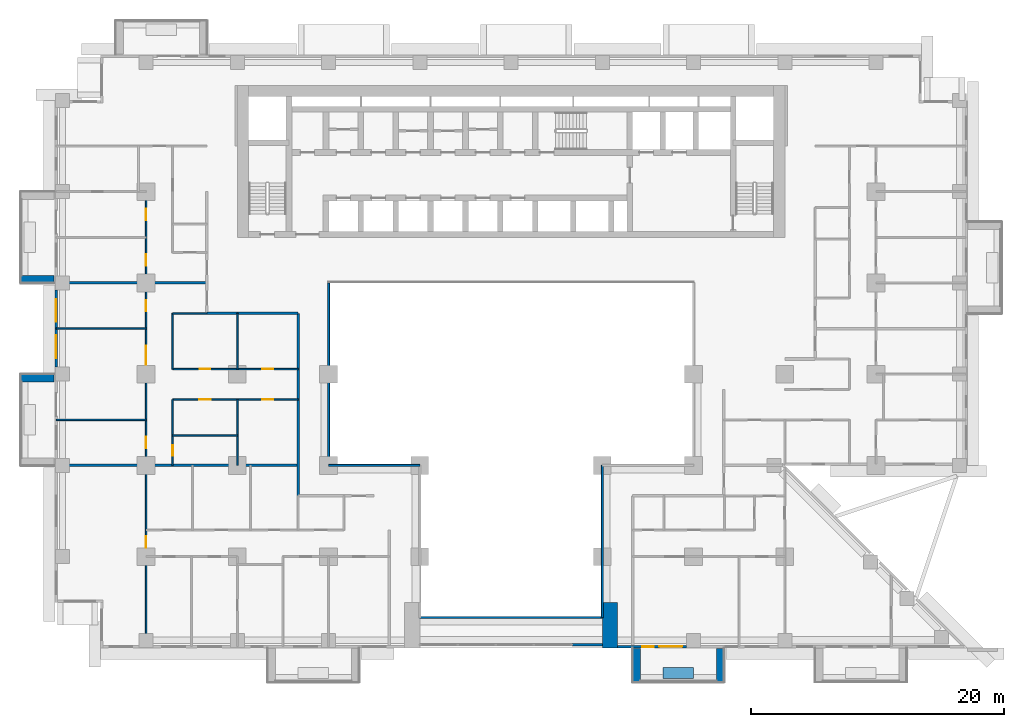
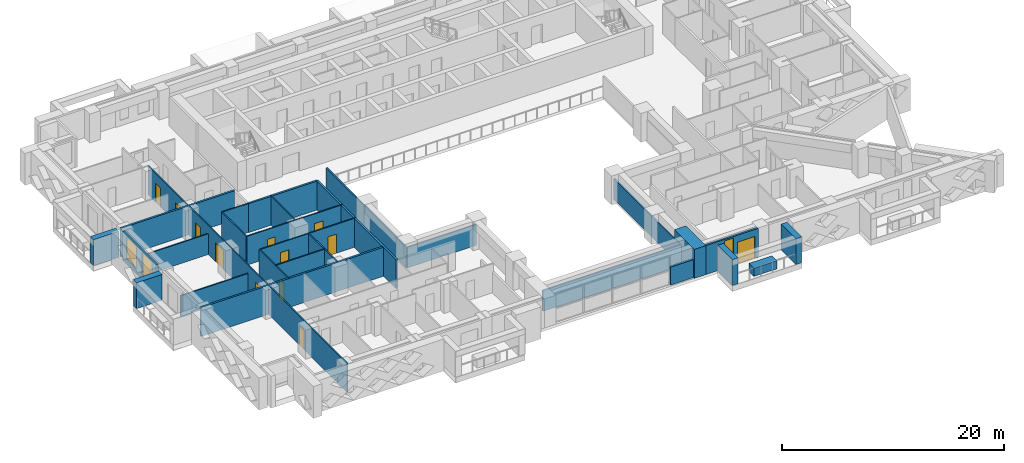
# One storey, part 7 of 17: 28 walls, 12 doors, 3 windows, 15 openings.
"""IFC4 building model written with IfcOpenShell, lengths in metres."""

from ifc_helpers import new_model, si_unit, direction, frame, frame_2d, origin, place, context, subcontext, project, spatial, rectangle, extrude, material, layer, layer_set, type_object, element, fill, save


model = new_model("IFC4")

# Units and contexts
model_context = context("Model", 3, precision=1e-05, world=origin(), true_north=direction((0.0, 1.0)))
body_context = subcontext(model_context, "Body", "Model", "MODEL_VIEW")
ifc_project = project(units=[si_unit("LENGTHUNIT", "METRE"), si_unit("AREAUNIT", "SQUARE_METRE"), si_unit("VOLUMEUNIT", "CUBIC_METRE"), si_unit("PLANEANGLEUNIT", "RADIAN"), si_unit("MASSUNIT", "GRAM", prefix="KILO")], contexts=[model_context])

# Site, building, storey
site_placement = place(None, origin())
site = spatial("IfcSite", under=ifc_project, at=site_placement, CompositionType="ELEMENT")
building_placement = place(site_placement, origin())
building = spatial("IfcBuilding", under=site, at=building_placement, Name="Saffron Iwan Residences", CompositionType="ELEMENT")
storey_placement = place(building_placement, frame((0.0, 0.0, 37.5)))
storey = spatial("IfcBuildingStorey", under=building, at=storey_placement, Name="L08", CompositionType="ELEMENT", Elevation=37.5)

# Walls
ifc_material_1 = material(Name="Fire-rated glazing", Category="glass")
ifc_layer_1 = layer(ifc_material_1, 0.14990234375)
ifc_layer_set_1 = layer_set([ifc_layer_1], Name="Fire-rated glazing")
wall_type_1 = type_object("IfcWallType", Name="Atrium glazed screen 150", PredefinedType="SOLIDWALL", material=ifc_layer_set_1)
wall_1_placement = place(storey_placement, frame((43.199951171875, 36.0, 0.0), z_axis=(0.0, 0.0, 1.0), x_axis=(1.0, 0.0, 0.0)))
element("IfcWall", 1, at=wall_1_placement, inside=storey, type_object=wall_type_1, Name="W-L08-SCREEN-h36-43.2", PredefinedType="SOLIDWALL", context=body_context, shape_type="SweptSolid", body=[
    extrude(rectangle(XDim=14.400146484375, YDim=0.14990234375, at=frame_2d((7.2001953125, 0.0))), origin(), (0.0, 0.0, 1.0), 2.280029296875),
])
wall_2_placement = place(storey_placement, frame((36.0, 48.0, 0.0), z_axis=(0.0, 0.0, 1.0), x_axis=(1.0, 0.0, 0.0)))
element("IfcWall", 2, at=wall_2_placement, inside=storey, type_object=wall_type_1, Name="W-L08-SCREEN-h48-36", PredefinedType="SOLIDWALL", context=body_context, shape_type="SweptSolid", body=[
    extrude(rectangle(XDim=7.199951171875, YDim=0.14990234375, at=frame_2d((3.60009765625, 0.0))), origin(), (0.0, 0.0, 1.0), 2.280029296875),
])
wall_3_placement = place(storey_placement, frame((36.0, 48.0, 0.0), z_axis=(0.0, 0.0, 1.0), x_axis=(0.0, 1.0, 0.0)))
element("IfcWall", 3, at=wall_3_placement, inside=storey, type_object=wall_type_1, Name="W-L08-SCREEN-v36-48", PredefinedType="SOLIDWALL", context=body_context, shape_type="SweptSolid", body=[
    extrude(rectangle(XDim=14.39990234375, YDim=0.14990234375, at=frame_2d((7.199951171875, 0.0))), origin(), (0.0, 0.0, 1.0), 2.280029296875),
])
wall_4_placement = place(storey_placement, frame((57.60009765625, 36.0, 0.0), z_axis=(0.0, 0.0, 1.0), x_axis=(0.0, 1.0, 0.0)))
element("IfcWall", 4, at=wall_4_placement, inside=storey, type_object=wall_type_1, Name="W-L08-SCREEN-v57.6-36", PredefinedType="SOLIDWALL", context=body_context, shape_type="SweptSolid", body=[
    extrude(rectangle(XDim=12.0, YDim=0.14990234375, at=frame_2d((6.0, 0.0))), origin(), (0.0, 0.0, 1.0), 2.280029296875),
])
ifc_material_2 = material(Name="Concrete C50/60 white painted", Category="concrete")
ifc_layer_2 = layer(ifc_material_2, 0.60009765625)
ifc_layer_set_2 = layer_set([ifc_layer_2], Name="Concrete C50/60 white painted")
wall_type_2 = type_object("IfcWallType", Name="BALCONY FIN 600", PredefinedType="SOLIDWALL", material=ifc_layer_set_2)
for number, where, z_axis, x_axis, name in (
    (5, (14.35009765625, 62.699951171875, 0.0), (0.0, 0.0, 1.0), (-1.0, 0.0, 0.0), "Balcony fin L08 F8-0b"),
    (6, (14.35009765625, 54.89990234375, 0.0), (0.0, 0.0, 1.0), (-1.0, 0.0, 0.0), "Balcony fin L08 F8-1a"),
    (7, (60.300048828125, 33.550048828125, 0.0), (0.0, 0.0, 1.0), (0.0, -1.0, 0.0), "Balcony fin L08 11-1a"),
    (8, (66.89990234375, 33.550048828125, 0.0), (0.0, 0.0, 1.0), (0.0, -1.0, 0.0), "Balcony fin L08 11-1b"),
):
    element("IfcWall", number, at=place(storey_placement, frame(where, z_axis=z_axis, x_axis=x_axis)), inside=storey, type_object=wall_type_2, Name=name, PredefinedType="SOLIDWALL", context=body_context, shape_type="SweptSolid", body=[
        extrude(rectangle(XDim=2.650146484375, YDim=0.60009765625, at=frame_2d((1.3251953125, 0.0))), origin(), (0.0, 0.0, 1.0), 2.85009765625),
    ])
ifc_material_3 = material(Name="Concrete C35/45 white painted", Category="concrete")
ifc_layer_3 = layer(ifc_material_3, 0.14990234375)
ifc_layer_set_3 = layer_set([ifc_layer_3], Name="Concrete C35/45 white painted")
wall_type_3 = type_object("IfcWallType", Name="BALCONY PLANTER", PredefinedType="SOLIDWALL", material=ifc_layer_set_3)
wall_5_placement = place(storey_placement, frame((62.39990234375, 31.625, 0.0), z_axis=(0.0, 0.0, 1.0), x_axis=(1.0, 0.0, 0.0)))
element("IfcWall", 9, at=wall_5_placement, inside=storey, type_object=wall_type_3, Name="PLANTER L08 11-1", PredefinedType="SOLIDWALL", context=body_context, shape_type="SweptSolid", body=[
    extrude(rectangle(XDim=2.400146484375, YDim=0.89990234375, at=frame_2d((1.2001953125, 0.0))), origin(), (0.0, 0.0, 1.0), 0.89990234375),
])

# Wall, openings, windows
ifc_material_4 = material(Name="Concrete C40/50", Category="concrete")
ifc_layer_4 = layer(ifc_material_4, 0.199951171875)
ifc_layer_set_4 = layer_set([ifc_layer_4], Name="Concrete C40/50")
wall_type_4 = type_object("IfcWallType", Name="EXTERNAL WALL 200", PredefinedType="SOLIDWALL", material=ifc_layer_set_4)
wall_6_placement = place(storey_placement, frame((14.5, 61.85009765625, 0.0), z_axis=(0.0, 0.0, 1.0), x_axis=(0.0, -1.0, 0.0)))
wall_6 = element("IfcWall", 10, at=wall_6_placement, inside=storey, type_object=wall_type_4, Name="External wall L08 F8.2", PredefinedType="SOLIDWALL", context=body_context, shape_type="SweptSolid", body=[
    extrude(rectangle(XDim=6.10009765625, YDim=0.199951171875, at=frame_2d((3.050048828125, 0.0))), origin(), (0.0, 0.0, 1.0), 3.179931640625),
])
opening_1_placement = place(wall_6_placement, frame((3.574951171875, 0.0, 0.60009765625)))
opening_1 = element("IfcOpeningElement", 11, at=opening_1_placement, cuts=wall_6, Name="Opening W8", PredefinedType="OPENING", context=body_context, shape_type="SweptSolid", body=[
    extrude(rectangle(XDim=1.800048828125, YDim=2.39990234375, at=frame_2d((0.89990234375, 1.199951171875))), frame((0.0, 0.10986328125, 0.0), z_axis=(0.0, -1.0, 0.0), x_axis=(1.0, 0.0, 0.0)), (0.0, 0.0, 1.0), 0.219970703125),
])
opening_2_placement = place(wall_6_placement, frame((0.72509765625, 0.0, 0.60009765625)))
opening_2 = element("IfcOpeningElement", 12, at=opening_2_placement, cuts=wall_6, Name="Opening W8", PredefinedType="OPENING", context=body_context, shape_type="SweptSolid", body=[
    extrude(rectangle(XDim=1.800048828125, YDim=2.39990234375, at=frame_2d((0.89990234375, 1.199951171875))), frame((0.0, 0.10986328125, 0.0), z_axis=(0.0, -1.0, 0.0), x_axis=(1.0, 0.0, 0.0)), (0.0, 0.0, 1.0), 0.219970703125),
])
ifc_material_5 = material(Name="Clear glass, laminated double glazed", Category="glass")
window_type_1 = type_object("IfcWindowType", Name="WINDOW 1800 x 2400", PartitioningType="DOUBLE_PANEL_VERTICAL", PredefinedType="WINDOW", material=ifc_material_5)
window_1_placement = place(opening_1_placement, origin())
window_1 = element("IfcWindow", 13, at=window_1_placement, inside=storey, type_object=window_type_1, Name="Window L08 F8.0", OverallHeight=2.39990234375, OverallWidth=1.800048828125, PartitioningType="DOUBLE_PANEL_VERTICAL", PredefinedType="WINDOW", context=body_context, shape_type="SweptSolid", body=[
    extrude(rectangle(XDim=1.800048828125, YDim=2.39990234375, at=frame_2d((0.89990234375, 1.199951171875))), frame((0.0, 0.030029296875, 0.0), z_axis=(0.0, -1.0, 0.0), x_axis=(1.0, 0.0, 0.0)), (0.0, 0.0, 1.0), 0.06005859375),
])
fill(opening_1, window_1)
window_2_placement = place(opening_2_placement, origin())
window_2 = element("IfcWindow", 14, at=window_2_placement, inside=storey, type_object=window_type_1, Name="Window L08 F8.1", OverallHeight=2.39990234375, OverallWidth=1.800048828125, PartitioningType="DOUBLE_PANEL_VERTICAL", PredefinedType="WINDOW", context=body_context, shape_type="SweptSolid", body=[
    extrude(rectangle(XDim=1.800048828125, YDim=2.39990234375, at=frame_2d((0.89990234375, 1.199951171875))), frame((0.0, 0.030029296875, 0.0), z_axis=(0.0, -1.0, 0.0), x_axis=(1.0, 0.0, 0.0)), (0.0, 0.0, 1.0), 0.06005859375),
])
fill(opening_2, window_2)

# Wall, openings, door, window
wall_7_placement = place(storey_placement, frame((58.800048828125, 33.699951171875, 0.0), z_axis=(0.0, 0.0, 1.0), x_axis=(1.0, 0.0, 0.0)))
wall_7 = element("IfcWall", 15, at=wall_7_placement, inside=storey, type_object=wall_type_4, Name="External wall L08 F11.4", PredefinedType="SOLIDWALL", context=body_context, shape_type="SweptSolid", body=[
    extrude(rectangle(XDim=5.449951171875, YDim=0.199951171875, at=frame_2d((2.72509765625, 0.0))), origin(), (0.0, 0.0, 1.0), 3.179931640625),
])
opening_3_placement = place(wall_7_placement, frame((3.300048828125, 0.0, 0.0)))
opening_3 = element("IfcOpeningElement", 16, at=opening_3_placement, cuts=wall_7, Name="Opening BD1", PredefinedType="OPENING", context=body_context, shape_type="SweptSolid", body=[
    extrude(rectangle(XDim=1.800048828125, YDim=2.39990234375, at=frame_2d((0.89990234375, 1.199951171875))), frame((0.0, 0.10986328125, 0.0), z_axis=(0.0, -1.0, 0.0), x_axis=(1.0, 0.0, 0.0)), (0.0, 0.0, 1.0), 0.219970703125),
])
opening_4_placement = place(wall_7_placement, frame((1.949951171875, 0.0, 0.60009765625)))
opening_4 = element("IfcOpeningElement", 17, at=opening_4_placement, cuts=wall_7, Name="Opening W10", PredefinedType="OPENING", context=body_context, shape_type="SweptSolid", body=[
    extrude(rectangle(XDim=0.89990234375, YDim=2.39990234375, at=frame_2d((0.449951171875, 1.199951171875))), frame((0.0, 0.10986328125, 0.0), z_axis=(0.0, -1.0, 0.0), x_axis=(1.0, 0.0, 0.0)), (0.0, 0.0, 1.0), 0.219970703125),
])
door_type_1 = type_object("IfcDoorType", Name="BALCONY DOOR 1800 x 2400", OperationType="DOUBLE_DOOR_SLIDING", PredefinedType="DOOR", material=ifc_material_5)
door_1_placement = place(opening_3_placement, origin())
door_1 = element("IfcDoor", 18, at=door_1_placement, inside=storey, type_object=door_type_1, Name="Balcony door L08 F11.0", OperationType="DOUBLE_DOOR_SLIDING", OverallHeight=2.39990234375, OverallWidth=1.800048828125, PredefinedType="DOOR", context=body_context, shape_type="SweptSolid", body=[
    extrude(rectangle(XDim=1.800048828125, YDim=2.39990234375, at=frame_2d((0.89990234375, 1.199951171875))), frame((0.0, 0.02490234375, 0.0), z_axis=(0.0, -1.0, 0.0), x_axis=(1.0, 0.0, 0.0)), (0.0, 0.0, 1.0), 0.050048828125),
])
fill(opening_3, door_1)
window_type_2 = type_object("IfcWindowType", Name="WINDOW 900 x 2400", PartitioningType="SINGLE_PANEL", PredefinedType="WINDOW", material=ifc_material_5)
window_3_placement = place(opening_4_placement, origin())
window_3 = element("IfcWindow", 19, at=window_3_placement, inside=storey, type_object=window_type_2, Name="Window L08 F11.1", OverallHeight=2.39990234375, OverallWidth=0.89990234375, PartitioningType="SINGLE_PANEL", PredefinedType="WINDOW", context=body_context, shape_type="SweptSolid", body=[
    extrude(rectangle(XDim=0.89990234375, YDim=2.39990234375, at=frame_2d((0.449951171875, 1.199951171875))), frame((0.0, 0.030029296875, 0.0), z_axis=(0.0, -1.0, 0.0), x_axis=(1.0, 0.0, 0.0)), (0.0, 0.0, 1.0), 0.06005859375),
])
fill(opening_4, window_3)

# Walls
wall_8_placement = place(storey_placement, frame((55.199951171875, 33.85009765625, 0.0), z_axis=(0.0, 0.0, 1.0), x_axis=(1.0, 0.0, 0.0)))
element("IfcWall", 20, at=wall_8_placement, inside=storey, type_object=wall_type_4, Name="External wall infill CWB-L08-0", PredefinedType="SOLIDWALL", context=body_context, shape_type="SweptSolid", body=[
    extrude(rectangle(XDim=2.400146484375, YDim=0.199951171875, at=frame_2d((1.2001953125, 0.0))), origin(), (0.0, 0.0, 1.0), 1.97998046875),
])
ifc_material_6 = material(Name="Fire-rated gypsum board wall")
ifc_layer_5 = layer(ifc_material_6, 0.199951171875)
ifc_layer_set_5 = layer_set([ifc_layer_5], Name="Fire-rated gypsum board wall")
wall_type_5 = type_object("IfcWallType", Name="Flat demising wall 200", PredefinedType="SOLIDWALL", material=ifc_layer_set_5)
wall_9_placement = place(storey_placement, frame((14.52490234375, 48.0, 0.0), z_axis=(0.0, 0.0, 1.0), x_axis=(1.0, 0.0, 0.0)))
element("IfcWall", 21, at=wall_9_placement, inside=storey, type_object=wall_type_5, Name="W-L08-DEMISE-h48-14.525", PredefinedType="SOLIDWALL", context=body_context, shape_type="SweptSolid", body=[
    extrude(rectangle(XDim=19.0751953125, YDim=0.199951171875, at=frame_2d((9.53759765625, 0.0))), origin(), (0.0, 0.0, 1.0), 3.179931640625),
])
wall_10_placement = place(storey_placement, frame((14.52490234375, 62.39990234375, 0.0), z_axis=(0.0, 0.0, 1.0), x_axis=(1.0, 0.0, 0.0)))
element("IfcWall", 22, at=wall_10_placement, inside=storey, type_object=wall_type_5, Name="W-L08-DEMISE-h62.4-14.525", PredefinedType="SOLIDWALL", context=body_context, shape_type="SweptSolid", body=[
    extrude(rectangle(XDim=11.875, YDim=0.199951171875, at=frame_2d((5.9375, 0.0))), origin(), (0.0, 0.0, 1.0), 3.179931640625),
])
ifc_material_7 = material(Name="Gypsum board partition")
ifc_layer_6 = layer(ifc_material_7, 0.1201171875)
ifc_layer_set_6 = layer_set([ifc_layer_6], Name="Gypsum board partition")
wall_type_6 = type_object("IfcWallType", Name="Flat partition 120", PredefinedType="PARTITIONING", material=ifc_layer_set_6)
wall_11_placement = place(storey_placement, frame((23.699951171875, 50.35009765625, 0.0), z_axis=(0.0, 0.0, 1.0), x_axis=(1.0, 0.0, 0.0)))
element("IfcWall", 23, at=wall_11_placement, inside=storey, type_object=wall_type_6, Name="W-L08-PART-h50.35-23.7", PredefinedType="PARTITIONING", context=body_context, shape_type="SweptSolid", body=[
    extrude(rectangle(XDim=5.10009765625, YDim=0.1201171875, at=frame_2d((2.550048828125, 0.0))), origin(), (0.0, 0.0, 1.0), 3.179931640625),
])
wall_12_placement = place(storey_placement, frame((14.52490234375, 51.60009765625, 0.0), z_axis=(0.0, 0.0, 1.0), x_axis=(1.0, 0.0, 0.0)))
element("IfcWall", 24, at=wall_12_placement, inside=storey, type_object=wall_type_6, Name="W-L08-PART-h51.6-14.525", PredefinedType="PARTITIONING", context=body_context, shape_type="SweptSolid", body=[
    extrude(rectangle(XDim=7.0751953125, YDim=0.1201171875, at=frame_2d((3.53759765625, 0.0))), origin(), (0.0, 0.0, 1.0), 2.280029296875),
])

# Wall, openings, doors
wall_13_placement = place(storey_placement, frame((23.699951171875, 53.199951171875, 0.0), z_axis=(0.0, 0.0, 1.0), x_axis=(1.0, 0.0, 0.0)))
wall_13 = element("IfcWall", 25, at=wall_13_placement, inside=storey, type_object=wall_type_6, Name="W-L08-PART-h53.2-23.7", PredefinedType="PARTITIONING", context=body_context, shape_type="SweptSolid", body=[
    extrude(rectangle(XDim=9.900146484375, YDim=0.1201171875, at=frame_2d((4.9501953125, 0.0))), origin(), (0.0, 0.0, 1.0), 3.179931640625),
])
opening_5_placement = place(wall_13_placement, frame((2.10009765625, 0.0, 0.0)))
opening_5 = element("IfcOpeningElement", 26, at=opening_5_placement, cuts=wall_13, Name="Opening FD2", PredefinedType="OPENING", context=body_context, shape_type="SweptSolid", body=[
    extrude(rectangle(XDim=0.89990234375, YDim=2.10009765625, at=frame_2d((0.449951171875, 1.050048828125))), frame((0.0, 0.070068359375, 0.0), z_axis=(0.0, -1.0, 0.0), x_axis=(1.0, 0.0, 0.0)), (0.0, 0.0, 1.0), 0.14013671875),
])
opening_6_placement = place(wall_13_placement, frame((7.050048828125, 0.0, 0.0)))
opening_6 = element("IfcOpeningElement", 27, at=opening_6_placement, cuts=wall_13, Name="Opening FD2", PredefinedType="OPENING", context=body_context, shape_type="SweptSolid", body=[
    extrude(rectangle(XDim=0.89990234375, YDim=2.10009765625, at=frame_2d((0.449951171875, 1.050048828125))), frame((0.0, 0.070068359375, 0.0), z_axis=(0.0, -1.0, 0.0), x_axis=(1.0, 0.0, 0.0)), (0.0, 0.0, 1.0), 0.14013671875),
])
ifc_material_8 = material(Name="Timber door", Category="wood")
door_type_2 = type_object("IfcDoorType", Name="Flat door 900", OperationType="NOTDEFINED", PredefinedType="DOOR", material=ifc_material_8)
door_2_placement = place(opening_5_placement, origin())
door_2 = element("IfcDoor", 28, at=door_2_placement, inside=storey, type_object=door_type_2, Name="Door L08-017", OperationType="SINGLE_SWING_RIGHT", OverallHeight=2.10009765625, OverallWidth=0.89990234375, PredefinedType="DOOR", context=body_context, shape_type="SweptSolid", body=[
    extrude(rectangle(XDim=0.89990234375, YDim=2.10009765625, at=frame_2d((0.449951171875, 1.050048828125))), frame((0.0, 0.02490234375, 0.0), z_axis=(0.0, -1.0, 0.0), x_axis=(1.0, 0.0, 0.0)), (0.0, 0.0, 1.0), 0.050048828125),
])
fill(opening_5, door_2)
door_3_placement = place(opening_6_placement, origin())
door_3 = element("IfcDoor", 29, at=door_3_placement, inside=storey, type_object=door_type_2, Name="Door L08-019", OperationType="SINGLE_SWING_LEFT", OverallHeight=2.10009765625, OverallWidth=0.89990234375, PredefinedType="DOOR", context=body_context, shape_type="SweptSolid", body=[
    extrude(rectangle(XDim=0.89990234375, YDim=2.10009765625, at=frame_2d((0.449951171875, 1.050048828125))), frame((0.0, 0.02490234375, 0.0), z_axis=(0.0, -1.0, 0.0), x_axis=(1.0, 0.0, 0.0)), (0.0, 0.0, 1.0), 0.050048828125),
])
fill(opening_6, door_3)

wall_14_placement = place(storey_placement, frame((23.699951171875, 55.60009765625, 0.0), z_axis=(0.0, 0.0, 1.0), x_axis=(1.0, 0.0, 0.0)))
wall_14 = element("IfcWall", 30, at=wall_14_placement, inside=storey, type_object=wall_type_6, Name="W-L08-PART-h55.6-23.7", PredefinedType="PARTITIONING", context=body_context, shape_type="SweptSolid", body=[
    extrude(rectangle(XDim=9.900146484375, YDim=0.1201171875, at=frame_2d((4.9501953125, 0.0))), origin(), (0.0, 0.0, 1.0), 3.179931640625),
])
opening_7_placement = place(wall_14_placement, frame((2.14990234375, 0.0, 0.0)))
opening_7 = element("IfcOpeningElement", 31, at=opening_7_placement, cuts=wall_14, Name="Opening FD3", PredefinedType="OPENING", context=body_context, shape_type="SweptSolid", body=[
    extrude(rectangle(XDim=0.800048828125, YDim=2.10009765625, at=frame_2d((0.39990234375, 1.050048828125))), frame((0.0, 0.070068359375, 0.0), z_axis=(0.0, -1.0, 0.0), x_axis=(1.0, 0.0, 0.0)), (0.0, 0.0, 1.0), 0.14013671875),
])
opening_8_placement = place(wall_14_placement, frame((7.050048828125, 0.0, 0.0)))
opening_8 = element("IfcOpeningElement", 32, at=opening_8_placement, cuts=wall_14, Name="Opening FD2", PredefinedType="OPENING", context=body_context, shape_type="SweptSolid", body=[
    extrude(rectangle(XDim=0.89990234375, YDim=2.10009765625, at=frame_2d((0.449951171875, 1.050048828125))), frame((0.0, 0.070068359375, 0.0), z_axis=(0.0, -1.0, 0.0), x_axis=(1.0, 0.0, 0.0)), (0.0, 0.0, 1.0), 0.14013671875),
])
door_type_3 = type_object("IfcDoorType", Name="Bathroom door 800", OperationType="NOTDEFINED", PredefinedType="DOOR", material=ifc_material_8)
door_4_placement = place(opening_7_placement, origin())
door_4 = element("IfcDoor", 33, at=door_4_placement, inside=storey, type_object=door_type_3, Name="Door L08-018", OperationType="SINGLE_SWING_LEFT", OverallHeight=2.10009765625, OverallWidth=0.800048828125, PredefinedType="DOOR", context=body_context, shape_type="SweptSolid", body=[
    extrude(rectangle(XDim=0.800048828125, YDim=2.10009765625, at=frame_2d((0.39990234375, 1.050048828125))), frame((0.0, 0.02490234375, 0.0), z_axis=(0.0, -1.0, 0.0), x_axis=(1.0, 0.0, 0.0)), (0.0, 0.0, 1.0), 0.050048828125),
])
fill(opening_7, door_4)
door_5_placement = place(opening_8_placement, origin())
door_5 = element("IfcDoor", 34, at=door_5_placement, inside=storey, type_object=door_type_2, Name="Door L08-020", OperationType="SINGLE_SWING_RIGHT", OverallHeight=2.10009765625, OverallWidth=0.89990234375, PredefinedType="DOOR", context=body_context, shape_type="SweptSolid", body=[
    extrude(rectangle(XDim=0.89990234375, YDim=2.10009765625, at=frame_2d((0.449951171875, 1.050048828125))), frame((0.0, 0.02490234375, 0.0), z_axis=(0.0, -1.0, 0.0), x_axis=(1.0, 0.0, 0.0)), (0.0, 0.0, 1.0), 0.050048828125),
])
fill(opening_8, door_5)

# Walls
wall_15_placement = place(storey_placement, frame((14.52490234375, 58.800048828125, 0.0), z_axis=(0.0, 0.0, 1.0), x_axis=(1.0, 0.0, 0.0)))
element("IfcWall", 35, at=wall_15_placement, inside=storey, type_object=wall_type_6, Name="W-L08-PART-h58.8-14.525", PredefinedType="PARTITIONING", context=body_context, shape_type="SweptSolid", body=[
    extrude(rectangle(XDim=7.0751953125, YDim=0.1201171875, at=frame_2d((3.53759765625, 0.0))), origin(), (0.0, 0.0, 1.0), 2.280029296875),
])
wall_16_placement = place(storey_placement, frame((23.699951171875, 60.0, 0.0), z_axis=(0.0, 0.0, 1.0), x_axis=(1.0, 0.0, 0.0)))
element("IfcWall", 36, at=wall_16_placement, inside=storey, type_object=wall_type_6, Name="W-L08-PART-h60-23.7", PredefinedType="PARTITIONING", context=body_context, shape_type="SweptSolid", body=[
    extrude(rectangle(XDim=2.699951171875, YDim=0.1201171875, at=frame_2d((1.35009765625, 0.0))), origin(), (0.0, 0.0, 1.0), 3.179931640625),
])

# Wall, openings, doors
wall_17_placement = place(storey_placement, frame((21.60009765625, 33.72509765625, 0.0), z_axis=(0.0, 0.0, 1.0), x_axis=(0.0, 1.0, 0.0)))
wall_17 = element("IfcWall", 37, at=wall_17_placement, inside=storey, type_object=wall_type_6, Name="W-L08-PART-v21.6-33.725", PredefinedType="PARTITIONING", context=body_context, shape_type="SweptSolid", body=[
    extrude(rectangle(XDim=35.875, YDim=0.1201171875, at=frame_2d((17.9375, 0.0))), origin(), (0.0, 0.0, 1.0), 3.179931640625),
])
opening_9_placement = place(wall_17_placement, frame((7.77490234375, 0.0, 0.0)))
opening_9 = element("IfcOpeningElement", 38, at=opening_9_placement, cuts=wall_17, Name="Opening FD2", PredefinedType="OPENING", context=body_context, shape_type="SweptSolid", body=[
    extrude(rectangle(XDim=0.89990234375, YDim=2.10009765625, at=frame_2d((0.449951171875, 1.050048828125))), frame((0.0, 0.070068359375, 0.0), z_axis=(0.0, -1.0, 0.0), x_axis=(1.0, 0.0, 0.0)), (0.0, 0.0, 1.0), 0.14013671875),
])
opening_10_placement = place(wall_17_placement, frame((15.625, 0.0, 0.0)))
opening_10 = element("IfcOpeningElement", 39, at=opening_10_placement, cuts=wall_17, Name="Opening FD2", PredefinedType="OPENING", context=body_context, shape_type="SweptSolid", body=[
    extrude(rectangle(XDim=0.89990234375, YDim=2.10009765625, at=frame_2d((0.449951171875, 1.050048828125))), frame((0.0, 0.070068359375, 0.0), z_axis=(0.0, -1.0, 0.0), x_axis=(1.0, 0.0, 0.0)), (0.0, 0.0, 1.0), 0.14013671875),
])
opening_11_placement = place(wall_17_placement, frame((22.22509765625, 0.0, 0.0)))
opening_11 = element("IfcOpeningElement", 40, at=opening_11_placement, cuts=wall_17, Name="Opening FD4", PredefinedType="OPENING", context=body_context, shape_type="SweptSolid", body=[
    extrude(rectangle(XDim=1.5, YDim=2.10009765625, at=frame_2d((0.75, 1.050048828125))), frame((0.0, 0.070068359375, 0.0), z_axis=(0.0, -1.0, 0.0), x_axis=(1.0, 0.0, 0.0)), (0.0, 0.0, 1.0), 0.14013671875),
])
opening_12_placement = place(wall_17_placement, frame((26.425048828125, 0.0, 0.0)))
opening_12 = element("IfcOpeningElement", 41, at=opening_12_placement, cuts=wall_17, Name="Opening FD2", PredefinedType="OPENING", context=body_context, shape_type="SweptSolid", body=[
    extrude(rectangle(XDim=0.89990234375, YDim=2.10009765625, at=frame_2d((0.449951171875, 1.050048828125))), frame((0.0, 0.070068359375, 0.0), z_axis=(0.0, -1.0, 0.0), x_axis=(1.0, 0.0, 0.0)), (0.0, 0.0, 1.0), 0.14013671875),
])
opening_13_placement = place(wall_17_placement, frame((30.02490234375, 0.0, 0.0)))
opening_13 = element("IfcOpeningElement", 42, at=opening_13_placement, cuts=wall_17, Name="Opening FD2", PredefinedType="OPENING", context=body_context, shape_type="SweptSolid", body=[
    extrude(rectangle(XDim=0.89990234375, YDim=2.10009765625, at=frame_2d((0.449951171875, 1.050048828125))), frame((0.0, 0.070068359375, 0.0), z_axis=(0.0, -1.0, 0.0), x_axis=(1.0, 0.0, 0.0)), (0.0, 0.0, 1.0), 0.14013671875),
])
opening_14_placement = place(wall_17_placement, frame((33.625, 0.0, 0.0)))
opening_14 = element("IfcOpeningElement", 43, at=opening_14_placement, cuts=wall_17, Name="Opening FD2", PredefinedType="OPENING", context=body_context, shape_type="SweptSolid", body=[
    extrude(rectangle(XDim=0.89990234375, YDim=2.10009765625, at=frame_2d((0.449951171875, 1.050048828125))), frame((0.0, 0.070068359375, 0.0), z_axis=(0.0, -1.0, 0.0), x_axis=(1.0, 0.0, 0.0)), (0.0, 0.0, 1.0), 0.14013671875),
])
door_type_4 = type_object("IfcDoorType", Name="Double door 1500", OperationType="NOTDEFINED", PredefinedType="DOOR", material=ifc_material_8)
door_6_placement = place(opening_11_placement, origin())
door_6 = element("IfcDoor", 44, at=door_6_placement, inside=storey, type_object=door_type_4, Name="Door L08-014", OperationType="SINGLE_SWING_LEFT", OverallHeight=2.10009765625, OverallWidth=1.5, PredefinedType="DOOR", context=body_context, shape_type="SweptSolid", body=[
    extrude(rectangle(XDim=1.5, YDim=2.10009765625, at=frame_2d((0.75, 1.050048828125))), frame((0.0, 0.02490234375, 0.0), z_axis=(0.0, -1.0, 0.0), x_axis=(1.0, 0.0, 0.0)), (0.0, 0.0, 1.0), 0.050048828125),
])
fill(opening_11, door_6)
door_7_placement = place(opening_9_placement, origin())
door_7 = element("IfcDoor", 45, at=door_7_placement, inside=storey, type_object=door_type_2, Name="Door L08-002", OperationType="SINGLE_SWING_LEFT", OverallHeight=2.10009765625, OverallWidth=0.89990234375, PredefinedType="DOOR", context=body_context, shape_type="SweptSolid", body=[
    extrude(rectangle(XDim=0.89990234375, YDim=2.10009765625, at=frame_2d((0.449951171875, 1.050048828125))), frame((0.0, 0.02490234375, 0.0), z_axis=(0.0, -1.0, 0.0), x_axis=(1.0, 0.0, 0.0)), (0.0, 0.0, 1.0), 0.050048828125),
])
fill(opening_9, door_7)
door_8_placement = place(opening_10_placement, origin())
door_8 = element("IfcDoor", 46, at=door_8_placement, inside=storey, type_object=door_type_2, Name="Door L08-013", OperationType="SINGLE_SWING_LEFT", OverallHeight=2.10009765625, OverallWidth=0.89990234375, PredefinedType="DOOR", context=body_context, shape_type="SweptSolid", body=[
    extrude(rectangle(XDim=0.89990234375, YDim=2.10009765625, at=frame_2d((0.449951171875, 1.050048828125))), frame((0.0, 0.02490234375, 0.0), z_axis=(0.0, -1.0, 0.0), x_axis=(1.0, 0.0, 0.0)), (0.0, 0.0, 1.0), 0.050048828125),
])
fill(opening_10, door_8)
door_9_placement = place(opening_12_placement, origin())
door_9 = element("IfcDoor", 47, at=door_9_placement, inside=storey, type_object=door_type_2, Name="Door L08-015", OperationType="SINGLE_SWING_LEFT", OverallHeight=2.10009765625, OverallWidth=0.89990234375, PredefinedType="DOOR", context=body_context, shape_type="SweptSolid", body=[
    extrude(rectangle(XDim=0.89990234375, YDim=2.10009765625, at=frame_2d((0.449951171875, 1.050048828125))), frame((0.0, 0.02490234375, 0.0), z_axis=(0.0, -1.0, 0.0), x_axis=(1.0, 0.0, 0.0)), (0.0, 0.0, 1.0), 0.050048828125),
])
fill(opening_12, door_9)
door_10_placement = place(opening_13_placement, origin())
door_10 = element("IfcDoor", 48, at=door_10_placement, inside=storey, type_object=door_type_2, Name="Door L08-029", OperationType="SINGLE_SWING_RIGHT", OverallHeight=2.10009765625, OverallWidth=0.89990234375, PredefinedType="DOOR", context=body_context, shape_type="SweptSolid", body=[
    extrude(rectangle(XDim=0.89990234375, YDim=2.10009765625, at=frame_2d((0.449951171875, 1.050048828125))), frame((0.0, 0.02490234375, 0.0), z_axis=(0.0, -1.0, 0.0), x_axis=(1.0, 0.0, 0.0)), (0.0, 0.0, 1.0), 0.050048828125),
])
fill(opening_13, door_10)
door_11_placement = place(opening_14_placement, origin())
door_11 = element("IfcDoor", 49, at=door_11_placement, inside=storey, type_object=door_type_2, Name="Door L08-030", OperationType="SINGLE_SWING_LEFT", OverallHeight=2.10009765625, OverallWidth=0.89990234375, PredefinedType="DOOR", context=body_context, shape_type="SweptSolid", body=[
    extrude(rectangle(XDim=0.89990234375, YDim=2.10009765625, at=frame_2d((0.449951171875, 1.050048828125))), frame((0.0, 0.02490234375, 0.0), z_axis=(0.0, -1.0, 0.0), x_axis=(1.0, 0.0, 0.0)), (0.0, 0.0, 1.0), 0.050048828125),
])
fill(opening_14, door_11)

# Wall, opening, door
wall_18_placement = place(storey_placement, frame((23.699951171875, 48.0, 0.0), z_axis=(0.0, 0.0, 1.0), x_axis=(0.0, 1.0, 0.0)))
wall_18 = element("IfcWall", 50, at=wall_18_placement, inside=storey, type_object=wall_type_6, Name="W-L08-PART-v23.7-48", PredefinedType="PARTITIONING", context=body_context, shape_type="SweptSolid", body=[
    extrude(rectangle(XDim=5.199951171875, YDim=0.1201171875, at=frame_2d((2.60009765625, 0.0))), origin(), (0.0, 0.0, 1.0), 3.179931640625),
])
opening_15_placement = place(wall_18_placement, frame((0.77490234375, 0.0, 0.0)))
opening_15 = element("IfcOpeningElement", 51, at=opening_15_placement, cuts=wall_18, Name="Opening FD3", PredefinedType="OPENING", context=body_context, shape_type="SweptSolid", body=[
    extrude(rectangle(XDim=0.800048828125, YDim=2.10009765625, at=frame_2d((0.39990234375, 1.050048828125))), frame((0.0, 0.070068359375, 0.0), z_axis=(0.0, -1.0, 0.0), x_axis=(1.0, 0.0, 0.0)), (0.0, 0.0, 1.0), 0.14013671875),
])
door_12_placement = place(opening_15_placement, origin())
door_12 = element("IfcDoor", 52, at=door_12_placement, inside=storey, type_object=door_type_3, Name="Door L08-016", OperationType="SINGLE_SWING_LEFT", OverallHeight=2.10009765625, OverallWidth=0.800048828125, PredefinedType="DOOR", context=body_context, shape_type="SweptSolid", body=[
    extrude(rectangle(XDim=0.800048828125, YDim=2.10009765625, at=frame_2d((0.39990234375, 1.050048828125))), frame((0.0, 0.02490234375, 0.0), z_axis=(0.0, -1.0, 0.0), x_axis=(1.0, 0.0, 0.0)), (0.0, 0.0, 1.0), 0.050048828125),
])
fill(opening_15, door_12)

# Walls
wall_19_placement = place(storey_placement, frame((23.699951171875, 55.60009765625, 0.0), z_axis=(0.0, 0.0, 1.0), x_axis=(0.0, 1.0, 0.0)))
element("IfcWall", 53, at=wall_19_placement, inside=storey, type_object=wall_type_6, Name="W-L08-PART-v23.7-55.6", PredefinedType="PARTITIONING", context=body_context, shape_type="SweptSolid", body=[
    extrude(rectangle(XDim=4.39990234375, YDim=0.1201171875, at=frame_2d((2.199951171875, 0.0))), origin(), (0.0, 0.0, 1.0), 3.179931640625),
])
wall_20_placement = place(storey_placement, frame((28.800048828125, 48.0, 0.0), z_axis=(0.0, 0.0, 1.0), x_axis=(0.0, 1.0, 0.0)))
element("IfcWall", 54, at=wall_20_placement, inside=storey, type_object=wall_type_6, Name="W-L08-PART-v28.8-48", PredefinedType="PARTITIONING", context=body_context, shape_type="SweptSolid", body=[
    extrude(rectangle(XDim=5.199951171875, YDim=0.1201171875, at=frame_2d((2.60009765625, 0.0))), origin(), (0.0, 0.0, 1.0), 3.179931640625),
])
wall_21_placement = place(storey_placement, frame((28.800048828125, 55.60009765625, 0.0), z_axis=(0.0, 0.0, 1.0), x_axis=(0.0, 1.0, 0.0)))
element("IfcWall", 55, at=wall_21_placement, inside=storey, type_object=wall_type_6, Name="W-L08-PART-v28.8-55.6", PredefinedType="PARTITIONING", context=body_context, shape_type="SweptSolid", body=[
    extrude(rectangle(XDim=4.39990234375, YDim=0.1201171875, at=frame_2d((2.199951171875, 0.0))), origin(), (0.0, 0.0, 1.0), 3.179931640625),
])
ifc_layer_7 = layer(ifc_material_6, 0.199951171875)
ifc_layer_set_7 = layer_set([ifc_layer_7], Name="Fire-rated gypsum board wall")
wall_type_7 = type_object("IfcWallType", Name="Gallery wall 200", PredefinedType="SOLIDWALL", material=ifc_layer_set_7)
wall_22_placement = place(storey_placement, frame((26.39990234375, 60.0, 0.0), z_axis=(0.0, 0.0, 1.0), x_axis=(1.0, 0.0, 0.0)))
element("IfcWall", 56, at=wall_22_placement, inside=storey, type_object=wall_type_7, Name="W-L08-CORR-h60-26.4", PredefinedType="SOLIDWALL", context=body_context, shape_type="SweptSolid", body=[
    extrude(rectangle(XDim=7.2001953125, YDim=0.199951171875, at=frame_2d((3.60009765625, 0.0))), origin(), (0.0, 0.0, 1.0), 3.179931640625),
])
wall_23_placement = place(storey_placement, frame((33.60009765625, 45.60009765625, 0.0), z_axis=(0.0, 0.0, 1.0), x_axis=(0.0, 1.0, 0.0)))
element("IfcWall", 57, at=wall_23_placement, inside=storey, type_object=wall_type_7, Name="W-L08-CORR-v33.6-45.6", PredefinedType="SOLIDWALL", context=body_context, shape_type="SweptSolid", body=[
    extrude(rectangle(XDim=14.39990234375, YDim=0.199951171875, at=frame_2d((7.199951171875, 0.0))), origin(), (0.0, 0.0, 1.0), 3.179931640625),
])
ifc_material_9 = material(Name="Concrete C60/75", Category="concrete")
ifc_layer_8 = layer(ifc_material_9, 1.199951171875)
ifc_layer_set_8 = layer_set([ifc_layer_8], Name="Concrete C60/75")
wall_type_8 = type_object("IfcWallType", Name="WALL IWAN PIER 1200 C60/75 3180 HIGH", PredefinedType="SHEAR", material=ifc_layer_set_8)
wall_24_placement = place(storey_placement, frame((58.199951171875, 33.60009765625, 0.0), z_axis=(0.0, 0.0, 1.0), x_axis=(0.0, 1.0, 0.0)))
element("IfcWall", 58, at=wall_24_placement, inside=storey, type_object=wall_type_8, Name="IWAN PIER", PredefinedType="SHEAR", context=body_context, shape_type="SweptSolid", body=[
    extrude(rectangle(XDim=3.599853515625, YDim=1.199951171875, at=frame_2d((1.7998046875, 0.0))), origin(), (0.0, 0.0, 1.0), 3.179931640625),
])

save(model, "model.ifc")
